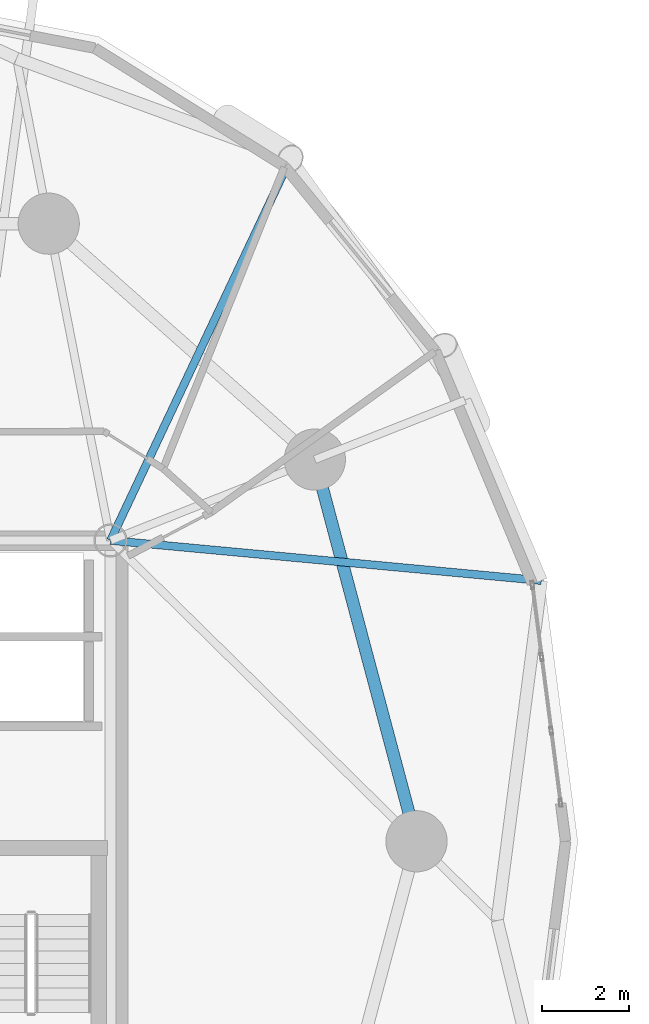
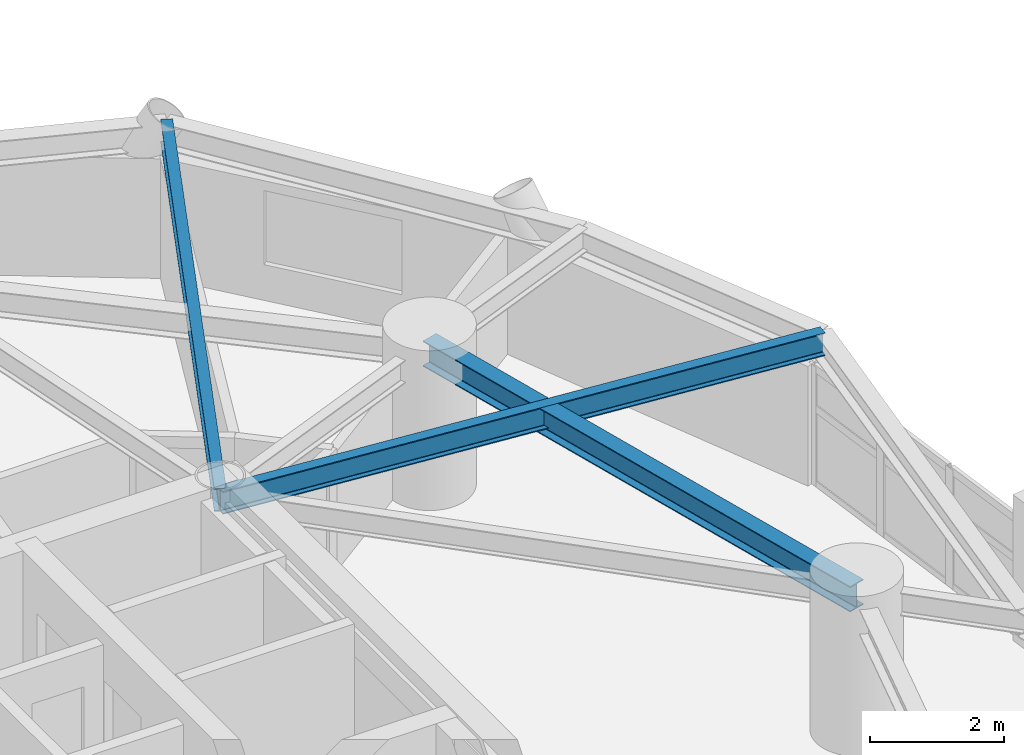
# One storey, part 3 of 17: 3 beams.
"""IFC4 building model written with IfcOpenShell, lengths in metres."""

import ifcopenshell
import ifcopenshell.guid

model = None  # the IFC model being written
_history = None  # IfcOwnerHistory: only IFC2X3 demands one
_inside = {}  # id of a spatial element -> (the spatial element, [elements in it])
_under = {}  # id of a project, library or spatial element -> (it, [spatial elements below it])
_declared = {}  # id of a project -> (the project, [libraries it declares])
_typed = {}  # id of a type object -> (the type object, [elements of that type])
_made_of = {}  # id of a material, layer set ... -> (it, [elements and type objects made of it])


def new_model(schema):
    """Start an empty IFC model of exactly this schema.

    Asked for "IFC4X3", IfcOpenShell would pick the latest addendum, in which some entities
    have other attributes; the version numbers below select the first issue.
    IFC2X3 requires an IfcOwnerHistory on every rooted entity: one is made here for all.
    """
    global model, _history
    if schema == "IFC4X3":
        model = ifcopenshell.file(schema_version=(4, 3, 0, 0))
    else:
        model = ifcopenshell.file(schema=schema)
    _inside.clear()
    _under.clear()
    _declared.clear()
    _typed.clear()
    _made_of.clear()
    _history = None
    if model.schema == "IFC2X3":
        org = make("IfcOrganization", Name="unknown")
        user = make(
            "IfcPersonAndOrganization",
            ThePerson=make("IfcPerson", FamilyName="unknown"),
            TheOrganization=org,
        )
        app = make(
            "IfcApplication",
            ApplicationDeveloper=org,
            Version="unknown",
            ApplicationFullName="unknown",
            ApplicationIdentifier="unknown",
        )
        _history = make(
            "IfcOwnerHistory",
            OwningUser=user,
            OwningApplication=app,
            ChangeAction="ADDED",
            CreationDate=0,
        )
    return model


def make(cls, **values):
    """One entity of the class cls with the attributes given. An attribute that is None is left unset."""
    return model.create_entity(
        cls, **{name: value for name, value in values.items() if value is not None}
    )


def rooted(cls, **values):
    """An entity with a GlobalId (a new one), such as an element, a storey or a relation."""
    return make(cls, GlobalId=ifcopenshell.guid.new(), OwnerHistory=_history, **values)


def si_unit(unit_type, name, prefix=None):
    """IfcSIUnit, for example si_unit("LENGTHUNIT", "METRE", prefix="MILLI")."""
    return make("IfcSIUnit", UnitType=unit_type, Prefix=prefix, Name=name)


def assignment(units):
    """IfcUnitAssignment: the units of a project."""
    return None if units is None else make("IfcUnitAssignment", Units=units)


def point(xyz):
    """IfcCartesianPoint."""
    return None if xyz is None else make("IfcCartesianPoint", Coordinates=xyz)


def direction(xyz):
    """IfcDirection."""
    return None if xyz is None else make("IfcDirection", DirectionRatios=xyz)


def frame(location, z_axis=None, x_axis=None):
    """IfcAxis2Placement3D, a coordinate frame: its origin and axes. An axis left out is left unset."""
    return make(
        "IfcAxis2Placement3D",
        Location=point(location),
        Axis=direction(z_axis),
        RefDirection=direction(x_axis),
    )


def frame_2d(location, x_axis=None):
    """IfcAxis2Placement2D, a coordinate frame in the plane: its origin and x axis."""
    return make(
        "IfcAxis2Placement2D", Location=point(location), RefDirection=direction(x_axis)
    )


def origin():
    """The frame at (0, 0, 0) with its axes left unset."""
    return frame((0.0, 0.0, 0.0))


def origin_2d():
    """The frame at (0, 0) in the plane with its x axis left unset."""
    return frame_2d((0.0, 0.0))


def place(relative_to, where):
    """IfcLocalPlacement: puts the frame where relative to a parent placement (None: the world)."""
    return make(
        "IfcLocalPlacement", PlacementRelTo=relative_to, RelativePlacement=where
    )


def context(
    kind, dimensions, precision=None, world=None, true_north=None, identifier=None
):
    """IfcGeometricRepresentationContext, for example the 3D "Model" context."""
    return make(
        "IfcGeometricRepresentationContext",
        ContextIdentifier=identifier,
        ContextType=kind,
        CoordinateSpaceDimension=dimensions,
        Precision=precision,
        WorldCoordinateSystem=world,
        TrueNorth=true_north,
    )


def subcontext(parent, identifier, kind, view, scale=None):
    """IfcGeometricRepresentationSubContext, for example "Body" below "Model"."""
    return make(
        "IfcGeometricRepresentationSubContext",
        ContextIdentifier=identifier,
        ContextType=kind,
        ParentContext=parent,
        TargetScale=scale,
        TargetView=view,
    )


def project(units=None, contexts=None):
    """IfcProject with its units and contexts."""
    return rooted(
        "IfcProject",
        Name="project",
        RepresentationContexts=contexts,
        UnitsInContext=assignment(units),
    )


def spatial(cls, under=None, at=None, **own):
    """A site, building, storey or space (cls), placed at a placement, below another one or the project."""
    s = rooted(cls, ObjectPlacement=at, **own)
    if under is not None:
        _under.setdefault(under.id(), (under, []))[1].append(s)
    return s


def profile(cls, at=None, kind="AREA", **sizes):
    """A parametric profile (cls). Its sizes go by their IFC names, for example OverallWidth=200.0."""
    return make(cls, ProfileType=kind, Position=at, **sizes)


def i_section(**sizes):
    """IfcIShapeProfileDef."""
    return profile("IfcIShapeProfileDef", **sizes)


def extrude(swept, where, along, depth):
    """IfcExtrudedAreaSolid: the profile swept, set in the frame where, extruded along a direction by depth."""
    return make(
        "IfcExtrudedAreaSolid",
        SweptArea=swept,
        Position=where,
        ExtrudedDirection=direction(along),
        Depth=depth,
    )


def shape(context_of_items, identifier, shape_type, items):
    """IfcShapeRepresentation: the items that make up one representation, for example the "Body"."""
    return make(
        "IfcShapeRepresentation",
        ContextOfItems=context_of_items,
        RepresentationIdentifier=identifier,
        RepresentationType=shape_type,
        Items=items,
    )


def material(Name=None, Category=None):
    """IfcMaterial."""
    return make("IfcMaterial", Name=Name, Category=Category)


def material_profile(
    of_material, cross_section, Name=None, Category=None, Priority=None
):
    """IfcMaterialProfile: a cross section and its material."""
    return make(
        "IfcMaterialProfile",
        Name=Name,
        Material=of_material,
        Profile=cross_section,
        Priority=Priority,
        Category=Category,
    )


def profile_set(profiles, Name=None, composite=None):
    """IfcMaterialProfileSet."""
    return make(
        "IfcMaterialProfileSet",
        Name=Name,
        MaterialProfiles=profiles,
        CompositeProfile=composite,
    )


def made_of(thing, what):
    """Note that an element or type object is made of a material, layer set ...; save() writes the relation."""
    if what is not None:
        _made_of.setdefault(what.id(), (what, []))[1].append(thing)
    return thing


def type_object(cls, material=None, **own):
    """A type object (cls), such as IfcWallType, which elements share."""
    return made_of(rooted(cls, **own), material)


def element(
    cls,
    number,
    at=None,
    inside=None,
    cuts=None,
    type_object=None,
    material=None,
    context=None,
    identifier="Body",
    shape_type=None,
    held_by="IfcProductDefinitionShape",
    body=None,
    shapes=None,
    **own,
):
    """One element of the class cls, such as IfcWall. Its Tag is "e" and its number.

    at: its placement. inside: the storey or other place that contains it. cuts: it is an
    opening in that element (IfcRelVoidsElement). A single representation is given by context,
    identifier, shape_type and body (its items); several are given by shapes. held_by: the class
    of the entity that holds the representations. save() writes the other relations.
    """
    e = rooted(cls, Tag="e%d" % number, ObjectPlacement=at, **own)
    if body is not None:
        shapes = [shape(context, identifier, shape_type, body)]
    if shapes is not None:
        e.Representation = make(held_by, Representations=shapes)
    if inside is not None:
        _inside.setdefault(inside.id(), (inside, []))[1].append(e)
    if cuts is not None:
        rooted(
            "IfcRelVoidsElement", RelatingBuildingElement=cuts, RelatedOpeningElement=e
        )
    if type_object is not None:
        _typed.setdefault(type_object.id(), (type_object, []))[1].append(e)
    return made_of(e, material)


def aggregate(whole, parts):
    """IfcRelAggregates: a whole, such as a stair, and the parts it consists of."""
    return rooted("IfcRelAggregates", RelatingObject=whole, RelatedObjects=parts)


def save(model, path):
    """Write the relations noted so far, then the file.

    IfcRelAggregates (storeys below a building ...), IfcRelContainedInSpatialStructure (elements
    in a storey), IfcRelDefinesByType, IfcRelAssociatesMaterial and IfcRelDeclares: one each for
    every whole, place, type object, material and project.
    """
    for whole, parts in _under.values():
        aggregate(whole, parts)
    for where, things in _inside.values():
        rooted(
            "IfcRelContainedInSpatialStructure",
            RelatedElements=things,
            RelatingStructure=where,
        )
    for kind, things in _typed.values():
        rooted("IfcRelDefinesByType", RelatedObjects=things, RelatingType=kind)
    for what, things in _made_of.values():
        rooted("IfcRelAssociatesMaterial", RelatedObjects=things, RelatingMaterial=what)
    for by, libraries in _declared.values():
        rooted("IfcRelDeclares", RelatingContext=by, RelatedDefinitions=libraries)
    model.write(path)


model = new_model("IFC4")

# Units and contexts
model_context = context("Model", 3, precision=1e-05, world=origin(), true_north=direction((0.0, 1.0)))
body_context = subcontext(model_context, "Body", "Model", "MODEL_VIEW")
ifc_project = project(units=[si_unit("LENGTHUNIT", "METRE"), si_unit("AREAUNIT", "SQUARE_METRE"), si_unit("VOLUMEUNIT", "CUBIC_METRE"), si_unit("PLANEANGLEUNIT", "RADIAN"), si_unit("MASSUNIT", "GRAM", prefix="KILO")], contexts=[model_context])

# Site, building, storey
site_placement = place(None, origin())
site = spatial("IfcSite", under=ifc_project, at=site_placement, CompositionType="ELEMENT")
building_placement = place(site_placement, origin())
building = spatial("IfcBuilding", under=site, at=building_placement, Name="Cununo Teusaquillo Station Towers", CompositionType="ELEMENT")
storey_placement = place(building_placement, frame((0.0, 0.0, 116.7099609375)))
storey = spatial("IfcBuildingStorey", under=building, at=storey_placement, Name="L37", CompositionType="ELEMENT", Elevation=116.7099609375)

# Beams
ifc_material_1 = material(Name="Steel ASTM A572 Grade 50", Category="steel")
ifc_material_profile_1 = material_profile(ifc_material_1, i_section(OverallWidth=0.180908203125, OverallDepth=0.4169921875, WebThickness=0.010986328125, FlangeThickness=0.018310546875, FilletRadius=0.012939453125, at=origin_2d()), Name="W16X57")
ifc_profile_set_1 = profile_set([ifc_material_profile_1], Name="Steel ASTM A572 Grade 50")
beam_type_1 = type_object("IfcBeamType", Name="BM-JOIST-1", PredefinedType="JOIST", material=ifc_profile_set_1)
beam_1_placement = place(storey_placement, frame((21.675048828125, 31.3798828125, 2.46142578125), z_axis=(0.995678537907, -0.09286683558, 0.0), x_axis=(0.09286683558, 0.995678537907, 0.0)))
element("IfcBeam", 1, at=beam_1_placement, inside=storey, type_object=beam_type_1, Name="L37 Tower A Radial Spandrel Joist V01", PredefinedType="JOIST", context=body_context, shape_type="SweptSolid", body=[
    extrude(i_section(OverallWidth=0.180908203125, OverallDepth=0.4169921875, WebThickness=0.010986328125, FlangeThickness=0.018310546875, FilletRadius=0.012939453125, at=origin_2d()), origin(), (0.0, 0.0, 1.0), 9.895263671875),
])
beam_2_placement = place(storey_placement, frame((21.675048828125, 31.3798828125, 2.46142578125), z_axis=(0.426319838016, 0.904572493344, 0.0), x_axis=(-0.904572493344, 0.426319838016, 0.0)))
element("IfcBeam", 2, at=beam_2_placement, inside=storey, type_object=beam_type_1, Name="L37 Tower A Radial Spandrel Joist V03", PredefinedType="JOIST", context=body_context, shape_type="SweptSolid", body=[
    extrude(i_section(OverallWidth=0.180908203125, OverallDepth=0.4169921875, WebThickness=0.010986328125, FlangeThickness=0.018310546875, FilletRadius=0.012939453125, at=origin_2d()), origin(), (0.0, 0.0, 1.0), 9.646728515625),
])
ifc_material_2 = material(Name="Steel ASTM A572 Grade 50", Category="steel")
ifc_material_profile_2 = material_profile(ifc_material_2, i_section(OverallWidth=0.280029296875, OverallDepth=0.462890625, WebThickness=0.0107421875, FlangeThickness=0.017333984375, FilletRadius=0.013916015625, at=origin_2d()), Name="W18X76")
ifc_profile_set_2 = profile_set([ifc_material_profile_2], Name="Steel ASTM A572 Grade 50")
beam_type_2 = type_object("IfcBeamType", Name="BM-RING-Z2", PredefinedType="SPANDREL", material=ifc_profile_set_2)
beam_3_placement = place(storey_placement, frame((28.672119140625, 24.5, 2.4384765625), z_axis=(-0.257363196347, 0.966314744359, 0.0), x_axis=(-0.966314744359, -0.257363196347, 0.0)))
element("IfcBeam", 3, at=beam_3_placement, inside=storey, type_object=beam_type_2, Name="L37 Tower A Structural Column Ring Girder 01", PredefinedType="SPANDREL", context=body_context, shape_type="SweptSolid", body=[
    extrude(i_section(OverallWidth=0.280029296875, OverallDepth=0.462890625, WebThickness=0.0107421875, FlangeThickness=0.017333984375, FilletRadius=0.013916015625, at=origin_2d()), origin(), (0.0, 0.0, 1.0), 9.03271484375),
])

save(model, "model.ifc")
